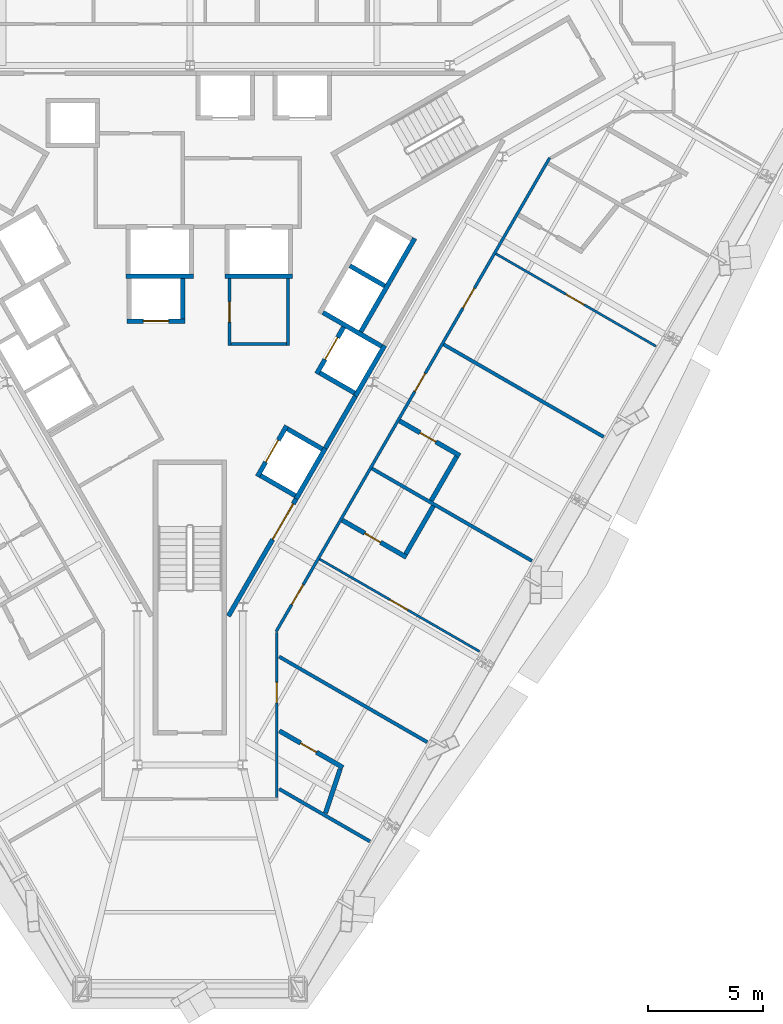
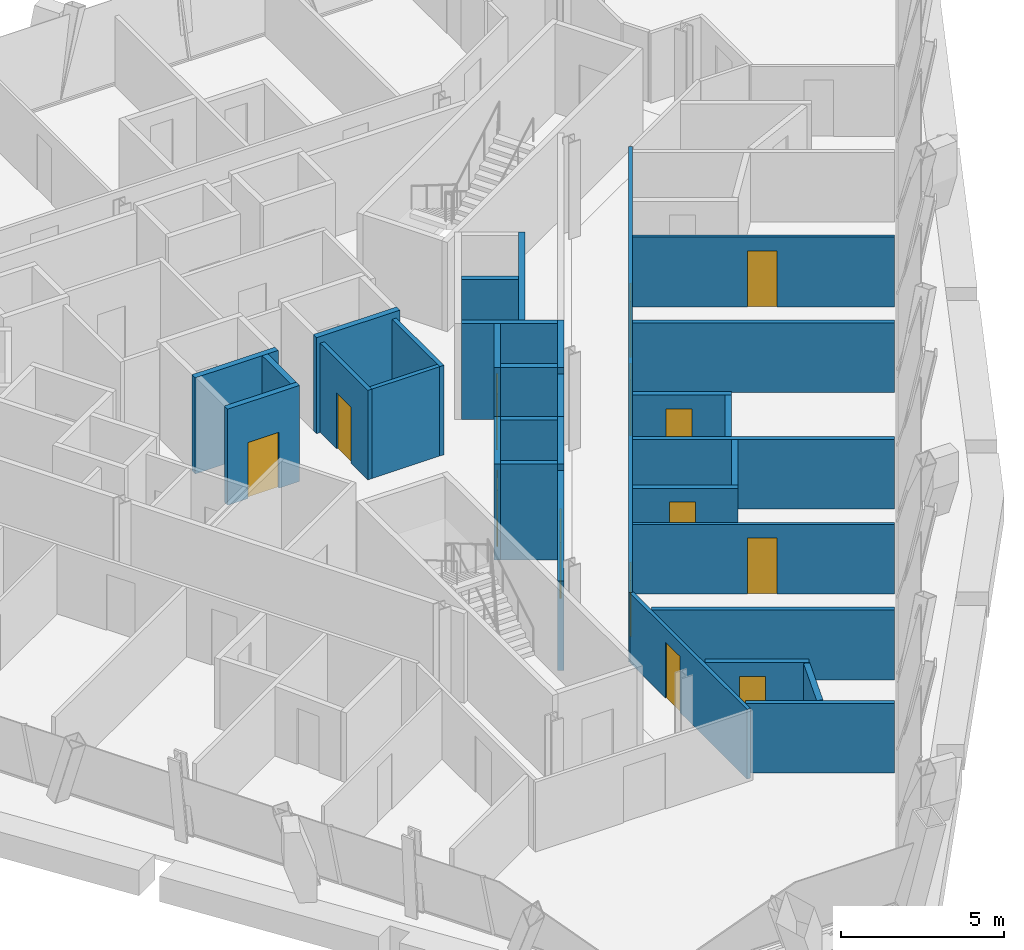
# One storey, part 9 of 14: 33 walls, 14 doors, 14 openings.
"""IFC4 building model written with IfcOpenShell, lengths in metres."""

from ifc_helpers import new_model, si_unit, direction, frame, frame_2d, origin, place, context, subcontext, project, spatial, rectangle, extrude, material, layer, layer_set, type_object, element, fill, save


model = new_model("IFC4")

# Units and contexts
model_context = context("Model", 3, precision=1e-05, world=origin(), true_north=direction((0.0, 1.0)))
body_context = subcontext(model_context, "Body", "Model", "MODEL_VIEW")
ifc_project = project(units=[si_unit("LENGTHUNIT", "METRE"), si_unit("AREAUNIT", "SQUARE_METRE"), si_unit("VOLUMEUNIT", "CUBIC_METRE"), si_unit("PLANEANGLEUNIT", "RADIAN"), si_unit("MASSUNIT", "GRAM", prefix="KILO")], contexts=[model_context])

# Site, building, storey
site_placement = place(None, origin())
site = spatial("IfcSite", under=ifc_project, at=site_placement, CompositionType="ELEMENT")
building_placement = place(site_placement, origin())
building = spatial("IfcBuilding", under=site, at=building_placement, Name="Verrane Prism Tower", CompositionType="ELEMENT")
storey_placement = place(building_placement, frame((0.0, 0.0, 128.800048828125)))
storey = spatial("IfcBuildingStorey", under=building, at=storey_placement, Name="L31", CompositionType="ELEMENT", Elevation=128.800048828125)

# Wall, opening, door
ifc_material_1 = material(Name="Gypsum board partition", Category="other")
ifc_layer_1 = layer(ifc_material_1, 0.199951171875)
ifc_layer_set_1 = layer_set([ifc_layer_1], Name="CW-200 core boundary wall 2 h")
wall_type_1 = type_object("IfcWallType", Name="CW-200 core boundary wall 2 h", PredefinedType="PARTITIONING", material=ifc_layer_set_1)
wall_1_placement = place(storey_placement, frame((1.677490234375, -14.814697265625, 0.0), z_axis=(0.0, 0.0, 1.0), x_axis=(0.49999445743, 0.866028603765, 0.0)))
wall_1 = element("IfcWall", 1, at=wall_1_placement, inside=storey, type_object=wall_type_1, Name="Core boundary wall CW3-003", PredefinedType="PARTITIONING", context=body_context, shape_type="SweptSolid", body=[
    extrude(rectangle(XDim=5.90478515625, YDim=0.199951171875, at=frame_2d((2.952392578125, 0.0))), origin(), (0.0, 0.0, 1.0), 3.349853515625),
])
opening_1_placement = place(wall_1_placement, frame((3.85498046875, 0.0, 0.0)))
opening_1 = element("IfcOpeningElement", 2, at=opening_1_placement, cuts=wall_1, Name="Opening D29517", PredefinedType="OPENING", context=body_context, shape_type="SweptSolid", body=[
    extrude(rectangle(XDim=1.800048828125, YDim=2.10009765625, at=frame_2d((0.89990234375, 1.050048828125))), frame((0.0, 0.10986328125, 0.0), z_axis=(0.0, -1.0, 0.0), x_axis=(1.0, 0.0, 0.0)), (0.0, 0.0, 1.0), 0.219970703125),
])
ifc_material_2 = material(Name="Timber veneered door leaf", Category="wood")
door_type_1 = type_object("IfcDoorType", Name="DR-1800x2100 FD60 double leaf lift lobby", OperationType="NOTDEFINED", PredefinedType="DOOR", material=ifc_material_2)
door_1_placement = place(opening_1_placement, origin())
door_1 = element("IfcDoor", 3, at=door_1_placement, inside=storey, type_object=door_type_1, Name="Lift lobby door D29517", OperationType="DOUBLE_DOOR_SINGLE_SWING", OverallHeight=2.10009765625, OverallWidth=1.800048828125, PredefinedType="DOOR", context=body_context, shape_type="SweptSolid", body=[
    extrude(rectangle(XDim=1.800048828125, YDim=2.10009765625, at=frame_2d((0.89990234375, 1.050048828125))), frame((0.0, 0.02490234375, 0.0), z_axis=(0.0, -1.0, 0.0), x_axis=(1.0, 0.0, 0.0)), (0.0, 0.0, 1.0), 0.050048828125),
])
fill(opening_1, door_1)

# Wall
wall_2_placement = place(storey_placement, frame((5.906005859375, -7.489990234375, 0.0), z_axis=(0.0, 0.0, 1.0), x_axis=(0.500252727967, 0.865879442048, 0.0)))
element("IfcWall", 4, at=wall_2_placement, inside=storey, type_object=wall_type_1, Name="Core boundary wall CW3-005", PredefinedType="PARTITIONING", context=body_context, shape_type="SweptSolid", body=[
    extrude(rectangle(XDim=2.616943359375, YDim=0.199951171875, at=frame_2d((1.30859375, 0.0))), origin(), (0.0, 0.0, 1.0), 3.349853515625),
])

# Wall, opening, door
ifc_material_3 = material(Name="Gypsum board shaft wall assembly", Category="other")
ifc_layer_2 = layer(ifc_material_3, 0.199951171875)
ifc_layer_set_2 = layer_set([ifc_layer_2], Name="HW-200 lift shaft wall 2 h")
wall_type_2 = type_object("IfcWallType", Name="HW-200 lift shaft wall 2 h", PredefinedType="PARTITIONING", material=ifc_layer_set_2)
wall_3_placement = place(storey_placement, frame((-2.7548828125, -1.949951171875, 0.0), z_axis=(0.0, 0.0, 1.0), x_axis=(1.0, 0.0, 0.0)))
wall_3 = element("IfcWall", 5, at=wall_3_placement, inside=storey, type_object=wall_type_2, Name="Lift shaft wall", PredefinedType="PARTITIONING", context=body_context, shape_type="SweptSolid", body=[
    extrude(rectangle(XDim=2.5498046875, YDim=0.199951171875, at=frame_2d((1.27490234375, 0.0))), origin(), (0.0, 0.0, 1.0), 3.599853515625),
])
opening_2_placement = place(wall_3_placement, frame((0.72509765625, 0.0, 0.0)))
opening_2 = element("IfcOpeningElement", 6, at=opening_2_placement, cuts=wall_3, Name="Opening D29504", PredefinedType="OPENING", context=body_context, shape_type="SweptSolid", body=[
    extrude(rectangle(XDim=1.10009765625, YDim=2.10009765625, at=frame_2d((0.550048828125, 1.050048828125))), frame((0.0, 0.10986328125, 0.0), z_axis=(0.0, -1.0, 0.0), x_axis=(1.0, 0.0, 0.0)), (0.0, 0.0, 1.0), 0.219970703125),
])
ifc_material_4 = material(Name="Stainless steel sliding landing door", Category="steel")
door_type_2 = type_object("IfcDoorType", Name="LD-1100x2100 lift landing door FD90 sliding", OperationType="NOTDEFINED", PredefinedType="DOOR", material=ifc_material_4)
door_2_placement = place(opening_2_placement, origin())
door_2 = element("IfcDoor", 7, at=door_2_placement, inside=storey, type_object=door_type_2, Name="Bank A lift 2 landing door", OperationType="SLIDING_TO_RIGHT", OverallHeight=2.10009765625, OverallWidth=1.10009765625, PredefinedType="DOOR", context=body_context, shape_type="SweptSolid", body=[
    extrude(rectangle(XDim=1.10009765625, YDim=2.10009765625, at=frame_2d((0.550048828125, 1.050048828125))), frame((0.0, 0.02490234375, 0.0), z_axis=(0.0, -1.0, 0.0), x_axis=(1.0, 0.0, 0.0)), (0.0, 0.0, 1.0), 0.050048828125),
])
fill(opening_2, door_2)

# Walls
wall_4_placement = place(storey_placement, frame((-2.784912109375, 0.0, 0.0), z_axis=(0.0, 0.0, 1.0), x_axis=(1.0, 0.0, 0.0)))
element("IfcWall", 8, at=wall_4_placement, inside=storey, type_object=wall_type_2, Name="Lift shaft wall", PredefinedType="PARTITIONING", context=body_context, shape_type="SweptSolid", body=[
    extrude(rectangle(XDim=2.949951171875, YDim=0.199951171875, at=frame_2d((1.47509765625, 0.0))), origin(), (0.0, 0.0, 1.0), 3.599853515625),
])
wall_5_placement = place(storey_placement, frame((1.52490234375, 0.0, 0.0), z_axis=(0.0, 0.0, 1.0), x_axis=(1.0, 0.0, 0.0)))
element("IfcWall", 9, at=wall_5_placement, inside=storey, type_object=wall_type_2, Name="Lift shaft wall", PredefinedType="PARTITIONING", context=body_context, shape_type="SweptSolid", body=[
    extrude(rectangle(XDim=2.9501953125, YDim=0.199951171875, at=frame_2d((1.47509765625, 0.0))), origin(), (0.0, 0.0, 1.0), 3.599853515625),
])
wall_6_placement = place(storey_placement, frame((4.63037109375, -9.69970703125, 0.0), z_axis=(0.0, 0.0, 1.0), x_axis=(0.500062241894, 0.865989465428, 0.0)))
element("IfcWall", 10, at=wall_6_placement, inside=storey, type_object=wall_type_2, Name="Lift shaft wall", PredefinedType="PARTITIONING", context=body_context, shape_type="SweptSolid", body=[
    extrude(rectangle(XDim=2.550048828125, YDim=0.199951171875, at=frame_2d((1.27490234375, 0.0))), origin(), (0.0, 0.0, 1.0), 3.599853515625),
])
wall_7_placement = place(storey_placement, frame((7.215576171875, -5.222412109375, 0.0), z_axis=(0.0, 0.0, 1.0), x_axis=(0.499990435942, 0.866030925526, 0.0)))
element("IfcWall", 11, at=wall_7_placement, inside=storey, type_object=wall_type_2, Name="Lift shaft wall", PredefinedType="PARTITIONING", context=body_context, shape_type="SweptSolid", body=[
    extrude(rectangle(XDim=2.5498046875, YDim=0.199951171875, at=frame_2d((1.27490234375, 0.0))), origin(), (0.0, 0.0, 1.0), 3.599853515625),
])
wall_8_placement = place(storey_placement, frame((7.451171875, -2.4140625, 0.0), z_axis=(0.0, 0.0, 1.0), x_axis=(0.500016218704, 0.866016039709, 0.0)))
element("IfcWall", 12, at=wall_8_placement, inside=storey, type_object=wall_type_2, Name="Lift shaft wall", PredefinedType="PARTITIONING", context=body_context, shape_type="SweptSolid", body=[
    extrude(rectangle(XDim=4.699951171875, YDim=0.199951171875, at=frame_2d((2.35009765625, 0.0))), origin(), (0.0, 0.0, 1.0), 3.599853515625),
])

# Wall, opening, door
wall_9_placement = place(storey_placement, frame((2.941650390625, -8.724853515625, 0.0), z_axis=(0.0, 0.0, 1.0), x_axis=(0.500020783669, 0.866013403995, 0.0)))
wall_9 = element("IfcWall", 13, at=wall_9_placement, inside=storey, type_object=wall_type_2, Name="Lift shaft wall", PredefinedType="PARTITIONING", context=body_context, shape_type="SweptSolid", body=[
    extrude(rectangle(XDim=2.55029296875, YDim=0.199951171875, at=frame_2d((1.275146484375, 0.0))), origin(), (0.0, 0.0, 1.0), 3.599853515625),
])
opening_3_placement = place(wall_9_placement, frame((0.72509765625, 0.0, 0.0)))
opening_3 = element("IfcOpeningElement", 14, at=opening_3_placement, cuts=wall_9, Name="Opening D29506", PredefinedType="OPENING", context=body_context, shape_type="SweptSolid", body=[
    extrude(rectangle(XDim=1.10009765625, YDim=2.10009765625, at=frame_2d((0.550048828125, 1.050048828125))), frame((0.0, 0.10986328125, 0.0), z_axis=(0.0, -1.0, 0.0), x_axis=(1.0, 0.0, 0.0)), (0.0, 0.0, 1.0), 0.219970703125),
])
door_3_placement = place(opening_3_placement, origin())
door_3 = element("IfcDoor", 15, at=door_3_placement, inside=storey, type_object=door_type_2, Name="Bank A lift 4 landing door", OperationType="SLIDING_TO_RIGHT", OverallHeight=2.10009765625, OverallWidth=1.10009765625, PredefinedType="DOOR", context=body_context, shape_type="SweptSolid", body=[
    extrude(rectangle(XDim=1.10009765625, YDim=2.10009765625, at=frame_2d((0.550048828125, 1.050048828125))), frame((0.0, 0.02490234375, 0.0), z_axis=(0.0, -1.0, 0.0), x_axis=(1.0, 0.0, 0.0)), (0.0, 0.0, 1.0), 0.050048828125),
])
fill(opening_3, door_3)

wall_10_placement = place(storey_placement, frame((5.52685546875, -4.247314453125, 0.0), z_axis=(0.0, 0.0, 1.0), x_axis=(0.499938297808, 0.866061024631, 0.0)))
wall_10 = element("IfcWall", 16, at=wall_10_placement, inside=storey, type_object=wall_type_2, Name="Lift shaft wall", PredefinedType="PARTITIONING", context=body_context, shape_type="SweptSolid", body=[
    extrude(rectangle(XDim=2.349853515625, YDim=0.199951171875, at=frame_2d((1.1748046875, 0.0))), origin(), (0.0, 0.0, 1.0), 3.599853515625),
])
opening_4_placement = place(wall_10_placement, frame((0.72509765625, 0.0, 0.0)))
opening_4 = element("IfcOpeningElement", 17, at=opening_4_placement, cuts=wall_10, Name="Opening D29507", PredefinedType="OPENING", context=body_context, shape_type="SweptSolid", body=[
    extrude(rectangle(XDim=1.10009765625, YDim=2.10009765625, at=frame_2d((0.550048828125, 1.050048828125))), frame((0.0, 0.10986328125, 0.0), z_axis=(0.0, -1.0, 0.0), x_axis=(1.0, 0.0, 0.0)), (0.0, 0.0, 1.0), 0.219970703125),
])
door_4_placement = place(opening_4_placement, origin())
door_4 = element("IfcDoor", 18, at=door_4_placement, inside=storey, type_object=door_type_2, Name="Bank A lift 5 landing door", OperationType="SLIDING_TO_LEFT", OverallHeight=2.10009765625, OverallWidth=1.10009765625, PredefinedType="DOOR", context=body_context, shape_type="SweptSolid", body=[
    extrude(rectangle(XDim=1.10009765625, YDim=2.10009765625, at=frame_2d((0.550048828125, 1.050048828125))), frame((0.0, 0.02490234375, 0.0), z_axis=(0.0, -1.0, 0.0), x_axis=(1.0, 0.0, 0.0)), (0.0, 0.0, 1.0), 0.050048828125),
])
fill(opening_4, door_4)

# Walls
for number, where, z_axis, x_axis, name in (
    (19, (-0.304931640625, -1.85009765625, 0.0), (0.0, 0.0, 1.0), (0.0, 1.0, 0.0), "Lift shaft wall"),
    (20, (8.48974609375, -0.41552734375, 0.0), (0.0, 0.0, 1.0), (-0.866036909293, 0.499980071345, 0.0), "Lift shaft wall"),
):
    element("IfcWall", number, at=place(storey_placement, frame(where, z_axis=z_axis, x_axis=x_axis)), inside=storey, type_object=wall_type_2, Name=name, PredefinedType="PARTITIONING", context=body_context, shape_type="SweptSolid", body=[
        extrude(rectangle(XDim=1.75, YDim=0.199951171875, at=frame_2d((0.875, 0.0))), origin(), (0.0, 0.0, 1.0), 3.599853515625),
    ])
wall_11_placement = place(storey_placement, frame((8.35400390625, -3.050537109375, 0.0), z_axis=(0.0, 0.0, 1.0), x_axis=(-0.866060182126, 0.499939757307, 0.0)))
element("IfcWall", 21, at=wall_11_placement, inside=storey, type_object=wall_type_2, Name="Lift shaft wall", PredefinedType="PARTITIONING", context=body_context, shape_type="SweptSolid", body=[
    extrude(rectangle(XDim=2.949951171875, YDim=0.199951171875, at=frame_2d((1.47509765625, 0.0))), origin(), (0.0, 0.0, 1.0), 3.599853515625),
])
wall_12_placement = place(storey_placement, frame((7.178955078125, -5.085693359375, 0.0), z_axis=(0.0, 0.0, 1.0), x_axis=(-0.866036909293, 0.499980071345, 0.0)))
element("IfcWall", 22, at=wall_12_placement, inside=storey, type_object=wall_type_2, Name="Lift shaft wall", PredefinedType="PARTITIONING", context=body_context, shape_type="SweptSolid", body=[
    extrude(rectangle(XDim=1.75, YDim=0.199951171875, at=frame_2d((0.875, 0.0))), origin(), (0.0, 0.0, 1.0), 3.599853515625),
])
wall_13_placement = place(storey_placement, frame((5.768798828125, -7.528076171875, 0.0), z_axis=(0.0, 0.0, 1.0), x_axis=(-0.866002029911, 0.500040482552, 0.0)))
element("IfcWall", 23, at=wall_13_placement, inside=storey, type_object=wall_type_2, Name="Lift shaft wall", PredefinedType="PARTITIONING", context=body_context, shape_type="SweptSolid", body=[
    extrude(rectangle(XDim=1.749755859375, YDim=0.199951171875, at=frame_2d((0.875, 0.0))), origin(), (0.0, 0.0, 1.0), 3.599853515625),
])
wall_14_placement = place(storey_placement, frame((4.593994140625, -9.563232421875, 0.0), z_axis=(0.0, 0.0, 1.0), x_axis=(-0.866036909293, 0.499980071345, 0.0)))
element("IfcWall", 24, at=wall_14_placement, inside=storey, type_object=wall_type_2, Name="Lift shaft wall", PredefinedType="PARTITIONING", context=body_context, shape_type="SweptSolid", body=[
    extrude(rectangle(XDim=1.75, YDim=0.199951171875, at=frame_2d((0.875, 0.0))), origin(), (0.0, 0.0, 1.0), 3.599853515625),
])

# Wall, opening, door
ifc_material_5 = material(Name="Gypsum board partition", Category="other")
ifc_layer_3 = layer(ifc_material_5, 0.10009765625)
ifc_layer_set_3 = layer_set([ifc_layer_3], Name="PW-100 room partition")
wall_type_3 = type_object("IfcWallType", Name="PW-100 room partition", PredefinedType="PARTITIONING", material=ifc_layer_set_3)
wall_15_placement = place(storey_placement, frame((5.654052734375, -12.331298828125, 0.0), z_axis=(0.0, 0.0, 1.0), x_axis=(0.866051796338, -0.49995428397, 0.0)))
wall_15 = element("IfcWall", 25, at=wall_15_placement, inside=storey, type_object=wall_type_3, Name="Room partition 051", PredefinedType="PARTITIONING", context=body_context, shape_type="SweptSolid", body=[
    extrude(rectangle(XDim=8.052490234375, YDim=0.10009765625, at=frame_2d((4.0263671875, 0.0))), origin(), (0.0, 0.0, 1.0), 2.613037109375),
])
opening_5_placement = place(wall_15_placement, frame((3.53759765625, 0.0, 0.0)))
opening_5 = element("IfcOpeningElement", 26, at=opening_5_placement, cuts=wall_15, Name="Opening D29031", PredefinedType="OPENING", context=body_context, shape_type="SweptSolid", body=[
    extrude(rectangle(XDim=0.89990234375, YDim=2.10009765625, at=frame_2d((0.449951171875, 1.050048828125))), frame((0.0, 0.06005859375, 0.0), z_axis=(0.0, -1.0, 0.0), x_axis=(1.0, 0.0, 0.0)), (0.0, 0.0, 1.0), 0.1201171875),
])
ifc_material_6 = material(Name="Timber veneered door leaf", Category="wood")
door_type_3 = type_object("IfcDoorType", Name="DR-900x2100 single leaf inner", OperationType="NOTDEFINED", PredefinedType="DOOR", material=ifc_material_6)
door_5_placement = place(opening_5_placement, origin())
door_5 = element("IfcDoor", 27, at=door_5_placement, inside=storey, type_object=door_type_3, Name="Suite Living Room door", OperationType="SINGLE_SWING_LEFT", OverallHeight=2.10009765625, OverallWidth=0.89990234375, PredefinedType="DOOR", context=body_context, shape_type="SweptSolid", body=[
    extrude(rectangle(XDim=0.89990234375, YDim=2.10009765625, at=frame_2d((0.449951171875, 1.050048828125))), frame((0.0, 0.02490234375, 0.0), z_axis=(0.0, -1.0, 0.0), x_axis=(1.0, 0.0, 0.0)), (0.0, 0.0, 1.0), 0.050048828125),
])
fill(opening_5, door_5)

wall_16_placement = place(storey_placement, frame((13.341064453125, 0.981689453125, 0.0), z_axis=(0.0, 0.0, 1.0), x_axis=(0.865974505336, -0.500088148337, 0.0)))
wall_16 = element("IfcWall", 28, at=wall_16_placement, inside=storey, type_object=wall_type_3, Name="Room partition 062", PredefinedType="PARTITIONING", context=body_context, shape_type="SweptSolid", body=[
    extrude(rectangle(XDim=8.0517578125, YDim=0.10009765625, at=frame_2d((4.02587890625, 0.0))), origin(), (0.0, 0.0, 1.0), 2.613037109375),
])
opening_6_placement = place(wall_16_placement, frame((3.53759765625, 0.0, 0.0)))
opening_6 = element("IfcOpeningElement", 29, at=opening_6_placement, cuts=wall_16, Name="Opening D29036", PredefinedType="OPENING", context=body_context, shape_type="SweptSolid", body=[
    extrude(rectangle(XDim=0.89990234375, YDim=2.10009765625, at=frame_2d((0.449951171875, 1.050048828125))), frame((0.0, 0.06005859375, 0.0), z_axis=(0.0, -1.0, 0.0), x_axis=(1.0, 0.0, 0.0)), (0.0, 0.0, 1.0), 0.1201171875),
])
door_6_placement = place(opening_6_placement, origin())
door_6 = element("IfcDoor", 30, at=door_6_placement, inside=storey, type_object=door_type_3, Name="Suite Living Room door", OperationType="SINGLE_SWING_RIGHT", OverallHeight=2.10009765625, OverallWidth=0.89990234375, PredefinedType="DOOR", context=body_context, shape_type="SweptSolid", body=[
    extrude(rectangle(XDim=0.89990234375, YDim=2.10009765625, at=frame_2d((0.449951171875, 1.050048828125))), frame((0.0, 0.02490234375, 0.0), z_axis=(0.0, -1.0, 0.0), x_axis=(1.0, 0.0, 0.0)), (0.0, 0.0, 1.0), 0.050048828125),
])
fill(opening_6, door_6)

ifc_material_7 = material(Name="Gypsum board partition", Category="other")
ifc_layer_4 = layer(ifc_material_7, 0.125)
ifc_layer_set_4 = layer_set([ifc_layer_4], Name="PW-125 corridor wall 1 h")
wall_type_4 = type_object("IfcWallType", Name="PW-125 corridor wall 1 h", PredefinedType="PARTITIONING", material=ifc_layer_set_4)
wall_17_placement = place(storey_placement, frame((3.787109375, -15.52490234375, 0.0), z_axis=(0.0, 0.0, 1.0), x_axis=(0.0, -1.0, 0.0)))
wall_17 = element("IfcWall", 31, at=wall_17_placement, inside=storey, type_object=wall_type_4, Name="Corridor wall 044", PredefinedType="PARTITIONING", context=body_context, shape_type="SweptSolid", body=[
    extrude(rectangle(XDim=7.197021484375, YDim=0.125, at=frame_2d((3.5986328125, 0.0))), origin(), (0.0, 0.0, 1.0), 2.613037109375),
])
opening_7_placement = place(wall_17_placement, frame((2.177001953125, 0.0, 0.0)))
opening_7 = element("IfcOpeningElement", 32, at=opening_7_placement, cuts=wall_17, Name="Opening D29028", PredefinedType="OPENING", context=body_context, shape_type="SweptSolid", body=[
    extrude(rectangle(XDim=0.89990234375, YDim=2.10009765625, at=frame_2d((0.449951171875, 1.050048828125))), frame((0.0, 0.072509765625, 0.0), z_axis=(0.0, -1.0, 0.0), x_axis=(1.0, 0.0, 0.0)), (0.0, 0.0, 1.0), 0.14501953125),
])
ifc_material_8 = material(Name="Timber veneered door leaf", Category="wood")
door_type_4 = type_object("IfcDoorType", Name="DR-900x2100 FD20 single leaf unit", OperationType="NOTDEFINED", PredefinedType="DOOR", material=ifc_material_8)
door_7_placement = place(opening_7_placement, origin())
door_7 = element("IfcDoor", 33, at=door_7_placement, inside=storey, type_object=door_type_4, Name="Guest Room door", OperationType="SINGLE_SWING_LEFT", OverallHeight=2.10009765625, OverallWidth=0.89990234375, PredefinedType="DOOR", context=body_context, shape_type="SweptSolid", body=[
    extrude(rectangle(XDim=0.89990234375, YDim=2.10009765625, at=frame_2d((0.449951171875, 1.050048828125))), frame((0.0, 0.02490234375, 0.0), z_axis=(0.0, -1.0, 0.0), x_axis=(1.0, 0.0, 0.0)), (0.0, 0.0, 1.0), 0.050048828125),
])
fill(opening_7, door_7)

# Wall, openings, doors
wall_18_placement = place(storey_placement, frame((15.684326171875, 5.1650390625, 0.0), z_axis=(0.0, 0.0, 1.0), x_axis=(-0.500027787016, -0.866009360349, 0.0)))
wall_18 = element("IfcWall", 34, at=wall_18_placement, inside=storey, type_object=wall_type_4, Name="Corridor wall 048", PredefinedType="PARTITIONING", context=body_context, shape_type="SweptSolid", body=[
    extrude(rectangle(XDim=23.855712890625, YDim=0.125, at=frame_2d((11.927734375, 0.0))), origin(), (0.0, 0.0, 1.0), 2.613037109375),
])
opening_8_placement = place(wall_18_placement, frame((21.4931640625, 0.0, 0.0)))
opening_8 = element("IfcOpeningElement", 35, at=opening_8_placement, cuts=wall_18, Name="Opening D29030", PredefinedType="OPENING", context=body_context, shape_type="SweptSolid", body=[
    extrude(rectangle(XDim=1.0, YDim=2.10009765625, at=frame_2d((0.5, 1.050048828125))), frame((0.0, 0.072509765625, 0.0), z_axis=(0.0, -1.0, 0.0), x_axis=(1.0, 0.0, 0.0)), (0.0, 0.0, 1.0), 0.14501953125),
])
opening_9_placement = place(wall_18_placement, frame((10.853271484375, 0.0, 0.0)))
opening_9 = element("IfcOpeningElement", 36, at=opening_9_placement, cuts=wall_18, Name="Opening D29033", PredefinedType="OPENING", context=body_context, shape_type="SweptSolid", body=[
    extrude(rectangle(XDim=0.89990234375, YDim=2.10009765625, at=frame_2d((0.449951171875, 1.050048828125))), frame((0.0, 0.072509765625, 0.0), z_axis=(0.0, -1.0, 0.0), x_axis=(1.0, 0.0, 0.0)), (0.0, 0.0, 1.0), 0.14501953125),
])
opening_10_placement = place(wall_18_placement, frame((6.55810546875, 0.0, 0.0)))
opening_10 = element("IfcOpeningElement", 37, at=opening_10_placement, cuts=wall_18, Name="Opening D29035", PredefinedType="OPENING", context=body_context, shape_type="SweptSolid", body=[
    extrude(rectangle(XDim=1.0, YDim=2.10009765625, at=frame_2d((0.5, 1.050048828125))), frame((0.0, 0.072509765625, 0.0), z_axis=(0.0, -1.0, 0.0), x_axis=(1.0, 0.0, 0.0)), (0.0, 0.0, 1.0), 0.14501953125),
])
ifc_material_9 = material(Name="Timber veneered door leaf", Category="wood")
door_type_5 = type_object("IfcDoorType", Name="DR-1000x2100 FD20 single leaf unit", OperationType="NOTDEFINED", PredefinedType="DOOR", material=ifc_material_9)
door_8_placement = place(opening_8_placement, origin())
door_8 = element("IfcDoor", 38, at=door_8_placement, inside=storey, type_object=door_type_5, Name="Suite Living Room door", OperationType="SINGLE_SWING_LEFT", OverallHeight=2.10009765625, OverallWidth=1.0, PredefinedType="DOOR", context=body_context, shape_type="SweptSolid", body=[
    extrude(rectangle(XDim=1.0, YDim=2.10009765625, at=frame_2d((0.5, 1.050048828125))), frame((0.0, 0.02490234375, 0.0), z_axis=(0.0, -1.0, 0.0), x_axis=(1.0, 0.0, 0.0)), (0.0, 0.0, 1.0), 0.050048828125),
])
fill(opening_8, door_8)
door_9_placement = place(opening_10_placement, origin())
door_9 = element("IfcDoor", 39, at=door_9_placement, inside=storey, type_object=door_type_5, Name="Suite Living Room door", OperationType="SINGLE_SWING_RIGHT", OverallHeight=2.10009765625, OverallWidth=1.0, PredefinedType="DOOR", context=body_context, shape_type="SweptSolid", body=[
    extrude(rectangle(XDim=1.0, YDim=2.10009765625, at=frame_2d((0.5, 1.050048828125))), frame((0.0, 0.02490234375, 0.0), z_axis=(0.0, -1.0, 0.0), x_axis=(1.0, 0.0, 0.0)), (0.0, 0.0, 1.0), 0.050048828125),
])
fill(opening_10, door_9)
door_10_placement = place(opening_9_placement, origin())
door_10 = element("IfcDoor", 40, at=door_10_placement, inside=storey, type_object=door_type_4, Name="Junior Suite door", OperationType="SINGLE_SWING_RIGHT", OverallHeight=2.10009765625, OverallWidth=0.89990234375, PredefinedType="DOOR", context=body_context, shape_type="SweptSolid", body=[
    extrude(rectangle(XDim=0.89990234375, YDim=2.10009765625, at=frame_2d((0.449951171875, 1.050048828125))), frame((0.0, 0.02490234375, 0.0), z_axis=(0.0, -1.0, 0.0), x_axis=(1.0, 0.0, 0.0)), (0.0, 0.0, 1.0), 0.050048828125),
])
fill(opening_9, door_10)

# Walls
ifc_material_10 = material(Name="Gypsum board partition", Category="other")
ifc_layer_5 = layer(ifc_material_10, 0.14990234375)
ifc_layer_set_5 = layer_set([ifc_layer_5], Name="PW-150 demising wall 1 h")
wall_type_5 = type_object("IfcWallType", Name="PW-150 demising wall 1 h", PredefinedType="PARTITIONING", material=ifc_layer_set_5)
wall_19_placement = place(storey_placement, frame((3.886962890625, -22.349609375, 0.0), z_axis=(0.0, 0.0, 1.0), x_axis=(0.866046917185, -0.499962735845, 0.0)))
element("IfcWall", 41, at=wall_19_placement, inside=storey, type_object=wall_type_5, Name="Demising wall 045", PredefinedType="PARTITIONING", context=body_context, shape_type="SweptSolid", body=[
    extrude(rectangle(XDim=4.573486328125, YDim=0.14990234375, at=frame_2d((2.28662109375, 0.0))), origin(), (0.0, 0.0, 1.0), 2.613037109375),
])
wall_20_placement = place(storey_placement, frame((3.886962890625, -16.580810546875, 0.0), z_axis=(0.0, 0.0, 1.0), x_axis=(0.866008413041, -0.500029427677, 0.0)))
element("IfcWall", 42, at=wall_20_placement, inside=storey, type_object=wall_type_5, Name="Demising wall 047", PredefinedType="PARTITIONING", context=body_context, shape_type="SweptSolid", body=[
    extrude(rectangle(XDim=7.4580078125, YDim=0.14990234375, at=frame_2d((3.72900390625, 0.0))), origin(), (0.0, 0.0, 1.0), 2.613037109375),
])
for number, where, z_axis, x_axis, name in (
    (43, (7.93603515625, -8.379150390625, 0.0), (0.0, 0.0, 1.0), (0.866044217767, -0.499967411811, 0.0), "Demising wall 055"),
    (44, (11.05908203125, -2.97021484375, 0.0), (0.0, 0.0, 1.0), (0.865968957472, -0.500097755139, 0.0), "Demising wall 060"),
):
    element("IfcWall", number, at=place(storey_placement, frame(where, z_axis=z_axis, x_axis=x_axis)), inside=storey, type_object=wall_type_5, Name=name, PredefinedType="PARTITIONING", context=body_context, shape_type="SweptSolid", body=[
        extrude(rectangle(XDim=8.05224609375, YDim=0.14990234375, at=frame_2d((4.026123046875, 0.0))), origin(), (0.0, 0.0, 1.0), 2.613037109375),
    ])

# Wall, opening, door
ifc_material_11 = material(Name="Gypsum board partition", Category="other")
ifc_layer_6 = layer(ifc_material_11, 0.199951171875)
ifc_layer_set_6 = layer_set([ifc_layer_6], Name="PW-200 plumbing wall")
wall_type_6 = type_object("IfcWallType", Name="PW-200 plumbing wall", PredefinedType="PARTITIONING", material=ifc_layer_set_6)
wall_21_placement = place(storey_placement, frame((6.673583984375, -21.41796875, 0.0), z_axis=(0.0, 0.0, 1.0), x_axis=(-0.866105631149, 0.499861016376, 0.0)))
wall_21 = element("IfcWall", 45, at=wall_21_placement, inside=storey, type_object=wall_type_6, Name="Plumbing wall 046", PredefinedType="PARTITIONING", context=body_context, shape_type="SweptSolid", body=[
    extrude(rectangle(XDim=3.203125, YDim=0.199951171875, at=frame_2d((1.6015625, 0.0))), origin(), (0.0, 0.0, 1.0), 2.613037109375),
])
opening_11_placement = place(wall_21_placement, frame((1.332763671875, 0.0, 0.0)))
opening_11 = element("IfcOpeningElement", 46, at=opening_11_placement, cuts=wall_21, Name="Opening D29029", PredefinedType="OPENING", context=body_context, shape_type="SweptSolid", body=[
    extrude(rectangle(XDim=0.800048828125, YDim=2.10009765625, at=frame_2d((0.39990234375, 1.050048828125))), frame((0.0, 0.10986328125, 0.0), z_axis=(0.0, -1.0, 0.0), x_axis=(1.0, 0.0, 0.0)), (0.0, 0.0, 1.0), 0.219970703125),
])
ifc_material_12 = material(Name="Timber veneered door leaf", Category="wood")
door_type_6 = type_object("IfcDoorType", Name="DR-800x2100 single leaf bath", OperationType="NOTDEFINED", PredefinedType="DOOR", material=ifc_material_12)
door_11_placement = place(opening_11_placement, origin())
door_11 = element("IfcDoor", 47, at=door_11_placement, inside=storey, type_object=door_type_6, Name="En-Suite door", OperationType="SINGLE_SWING_RIGHT", OverallHeight=2.10009765625, OverallWidth=0.800048828125, PredefinedType="DOOR", context=body_context, shape_type="SweptSolid", body=[
    extrude(rectangle(XDim=0.800048828125, YDim=2.10009765625, at=frame_2d((0.39990234375, 1.050048828125))), frame((0.0, 0.02490234375, 0.0), z_axis=(0.0, -1.0, 0.0), x_axis=(1.0, 0.0, 0.0)), (0.0, 0.0, 1.0), 0.050048828125),
])
fill(opening_11, door_11)

# Wall
wall_22_placement = place(storey_placement, frame((5.90673828125, -23.406005859375, 0.0), z_axis=(0.0, 0.0, 1.0), x_axis=(0.316661020634, 0.948538769904, 0.0)))
element("IfcWall", 48, at=wall_22_placement, inside=storey, type_object=wall_type_6, Name="Plumbing wall 052", PredefinedType="PARTITIONING", context=body_context, shape_type="SweptSolid", body=[
    extrude(rectangle(XDim=2.028564453125, YDim=0.199951171875, at=frame_2d((1.01416015625, 0.0))), origin(), (0.0, 0.0, 1.0), 2.613037109375),
])

# Wall, opening, door
wall_23_placement = place(storey_placement, frame((6.640380859375, -10.6328125, 0.0), z_axis=(0.0, 0.0, 1.0), x_axis=(0.866022073929, -0.500005767435, 0.0)))
wall_23 = element("IfcWall", 49, at=wall_23_placement, inside=storey, type_object=wall_type_6, Name="Plumbing wall 053", PredefinedType="PARTITIONING", context=body_context, shape_type="SweptSolid", body=[
    extrude(rectangle(XDim=3.232421875, YDim=0.199951171875, at=frame_2d((1.6162109375, 0.0))), origin(), (0.0, 0.0, 1.0), 2.613037109375),
])
opening_12_placement = place(wall_23_placement, frame((1.132568359375, 0.0, 0.0)))
opening_12 = element("IfcOpeningElement", 50, at=opening_12_placement, cuts=wall_23, Name="Opening D29032", PredefinedType="OPENING", context=body_context, shape_type="SweptSolid", body=[
    extrude(rectangle(XDim=0.800048828125, YDim=2.10009765625, at=frame_2d((0.39990234375, 1.050048828125))), frame((0.0, 0.10986328125, 0.0), z_axis=(0.0, -1.0, 0.0), x_axis=(1.0, 0.0, 0.0)), (0.0, 0.0, 1.0), 0.219970703125),
])
door_12_placement = place(opening_12_placement, origin())
door_12 = element("IfcDoor", 51, at=door_12_placement, inside=storey, type_object=door_type_6, Name="En-Suite door", OperationType="SINGLE_SWING_RIGHT", OverallHeight=2.10009765625, OverallWidth=0.800048828125, PredefinedType="DOOR", context=body_context, shape_type="SweptSolid", body=[
    extrude(rectangle(XDim=0.800048828125, YDim=2.10009765625, at=frame_2d((0.39990234375, 1.050048828125))), frame((0.0, 0.02490234375, 0.0), z_axis=(0.0, -1.0, 0.0), x_axis=(1.0, 0.0, 0.0)), (0.0, 0.0, 1.0), 0.050048828125),
])
fill(opening_12, door_12)

wall_24_placement = place(storey_placement, frame((11.7666015625, -7.819091796875, 0.0), z_axis=(0.0, 0.0, 1.0), x_axis=(-0.866009954834, 0.500026757412, 0.0)))
wall_24 = element("IfcWall", 52, at=wall_24_placement, inside=storey, type_object=wall_type_6, Name="Plumbing wall 056", PredefinedType="PARTITIONING", context=body_context, shape_type="SweptSolid", body=[
    extrude(rectangle(XDim=3.032470703125, YDim=0.199951171875, at=frame_2d((1.51611328125, 0.0))), origin(), (0.0, 0.0, 1.0), 2.613037109375),
])
opening_13_placement = place(wall_24_placement, frame((1.199951171875, 0.0, 0.0)))
opening_13 = element("IfcOpeningElement", 53, at=opening_13_placement, cuts=wall_24, Name="Opening D29034", PredefinedType="OPENING", context=body_context, shape_type="SweptSolid", body=[
    extrude(rectangle(XDim=0.800048828125, YDim=2.10009765625, at=frame_2d((0.39990234375, 1.050048828125))), frame((0.0, 0.10986328125, 0.0), z_axis=(0.0, -1.0, 0.0), x_axis=(1.0, 0.0, 0.0)), (0.0, 0.0, 1.0), 0.219970703125),
])
door_13_placement = place(opening_13_placement, origin())
door_13 = element("IfcDoor", 54, at=door_13_placement, inside=storey, type_object=door_type_6, Name="En-Suite door", OperationType="SINGLE_SWING_LEFT", OverallHeight=2.10009765625, OverallWidth=0.800048828125, PredefinedType="DOOR", context=body_context, shape_type="SweptSolid", body=[
    extrude(rectangle(XDim=0.800048828125, YDim=2.10009765625, at=frame_2d((0.39990234375, 1.050048828125))), frame((0.0, 0.02490234375, 0.0), z_axis=(0.0, -1.0, 0.0), x_axis=(1.0, 0.0, 0.0)), (0.0, 0.0, 1.0), 0.050048828125),
])
fill(opening_13, door_13)

# Walls
wall_25_placement = place(storey_placement, frame((9.403076171875, -12.1123046875, 0.0), z_axis=(0.0, 0.0, 1.0), x_axis=(0.500103096288, 0.865965872932, 0.0)))
element("IfcWall", 55, at=wall_25_placement, inside=storey, type_object=wall_type_6, Name="Plumbing wall 057", PredefinedType="PARTITIONING", context=body_context, shape_type="SweptSolid", body=[
    extrude(rectangle(XDim=2.42431640625, YDim=0.199951171875, at=frame_2d((1.212158203125, 0.0))), origin(), (0.0, 0.0, 1.0), 2.613037109375),
])
wall_26_placement = place(storey_placement, frame((10.52001953125, -9.77880859375, 0.0), z_axis=(0.0, 0.0, 1.0), x_axis=(0.499935013329, 0.866062920605, 0.0)))
element("IfcWall", 56, at=wall_26_placement, inside=storey, type_object=wall_type_6, Name="Plumbing wall 058", PredefinedType="PARTITIONING", context=body_context, shape_type="SweptSolid", body=[
    extrude(rectangle(XDim=2.220458984375, YDim=0.199951171875, at=frame_2d((1.1103515625, 0.0))), origin(), (0.0, 0.0, 1.0), 2.613037109375),
])

# Wall, opening, door
ifc_material_13 = material(Name="Gypsum board partition", Category="other")
ifc_layer_7 = layer(ifc_material_13, 0.14990234375)
ifc_layer_set_7 = layer_set([ifc_layer_7], Name="RS-150 riser enclosure wall 1 h")
wall_type_7 = type_object("IfcWallType", Name="RS-150 riser enclosure wall 1 h", PredefinedType="PARTITIONING", material=ifc_layer_set_7)
wall_27_placement = place(storey_placement, frame((1.72509765625, -0.10205078125, 0.0), z_axis=(0.0, 0.0, 1.0), x_axis=(0.0, -1.0, 0.0)))
wall_27 = element("IfcWall", 57, at=wall_27_placement, inside=storey, type_object=wall_type_7, Name="Riser wall RS3-008", PredefinedType="PARTITIONING", context=body_context, shape_type="SweptSolid", body=[
    extrude(rectangle(XDim=2.9228515625, YDim=0.14990234375, at=frame_2d((1.46142578125, 0.0))), origin(), (0.0, 0.0, 1.0), 3.349853515625),
])
opening_14_placement = place(wall_27_placement, frame((0.998046875, 0.0, 0.0)))
opening_14 = element("IfcOpeningElement", 58, at=opening_14_placement, cuts=wall_27, Name="Opening D29518", PredefinedType="OPENING", context=body_context, shape_type="SweptSolid", body=[
    extrude(rectangle(XDim=0.89990234375, YDim=2.10009765625, at=frame_2d((0.449951171875, 1.050048828125))), frame((0.0, 0.0849609375, 0.0), z_axis=(0.0, -1.0, 0.0), x_axis=(1.0, 0.0, 0.0)), (0.0, 0.0, 1.0), 0.169921875),
])
ifc_material_14 = material(Name="Timber veneered door leaf", Category="wood")
door_type_7 = type_object("IfcDoorType", Name="DR-900x2100 FD20 single leaf store", OperationType="NOTDEFINED", PredefinedType="DOOR", material=ifc_material_14)
door_14_placement = place(opening_14_placement, origin())
door_14 = element("IfcDoor", 59, at=door_14_placement, inside=storey, type_object=door_type_7, Name="Room door D29518", OperationType="SINGLE_SWING_LEFT", OverallHeight=2.10009765625, OverallWidth=0.89990234375, PredefinedType="DOOR", context=body_context, shape_type="SweptSolid", body=[
    extrude(rectangle(XDim=0.89990234375, YDim=2.10009765625, at=frame_2d((0.449951171875, 1.050048828125))), frame((0.0, 0.02490234375, 0.0), z_axis=(0.0, -1.0, 0.0), x_axis=(1.0, 0.0, 0.0)), (0.0, 0.0, 1.0), 0.050048828125),
])
fill(opening_14, door_14)

# Walls
wall_28_placement = place(storey_placement, frame((1.800048828125, -2.949951171875, 0.0), z_axis=(0.0, 0.0, 1.0), x_axis=(1.0, 0.0, 0.0)))
element("IfcWall", 60, at=wall_28_placement, inside=storey, type_object=wall_type_7, Name="Riser wall RS3-009", PredefinedType="PARTITIONING", context=body_context, shape_type="SweptSolid", body=[
    extrude(rectangle(XDim=2.39990234375, YDim=0.14990234375, at=frame_2d((1.199951171875, 0.0))), origin(), (0.0, 0.0, 1.0), 3.349853515625),
])
wall_29_placement = place(storey_placement, frame((4.27490234375, -3.02490234375, 0.0), z_axis=(0.0, 0.0, 1.0), x_axis=(0.0, 1.0, 0.0)))
element("IfcWall", 61, at=wall_29_placement, inside=storey, type_object=wall_type_7, Name="Riser wall RS3-010", PredefinedType="PARTITIONING", context=body_context, shape_type="SweptSolid", body=[
    extrude(rectangle(XDim=2.9228515625, YDim=0.14990234375, at=frame_2d((1.46142578125, 0.0))), origin(), (0.0, 0.0, 1.0), 3.349853515625),
])

save(model, "model.ifc")
